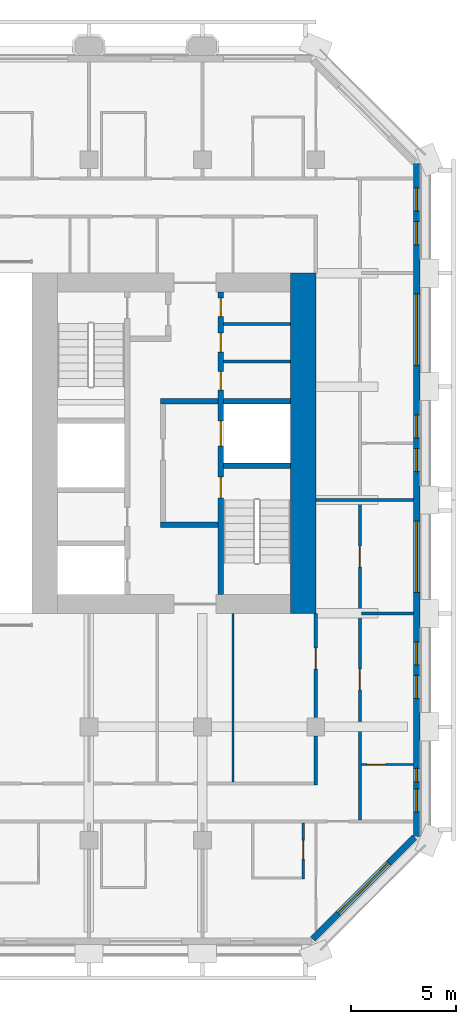
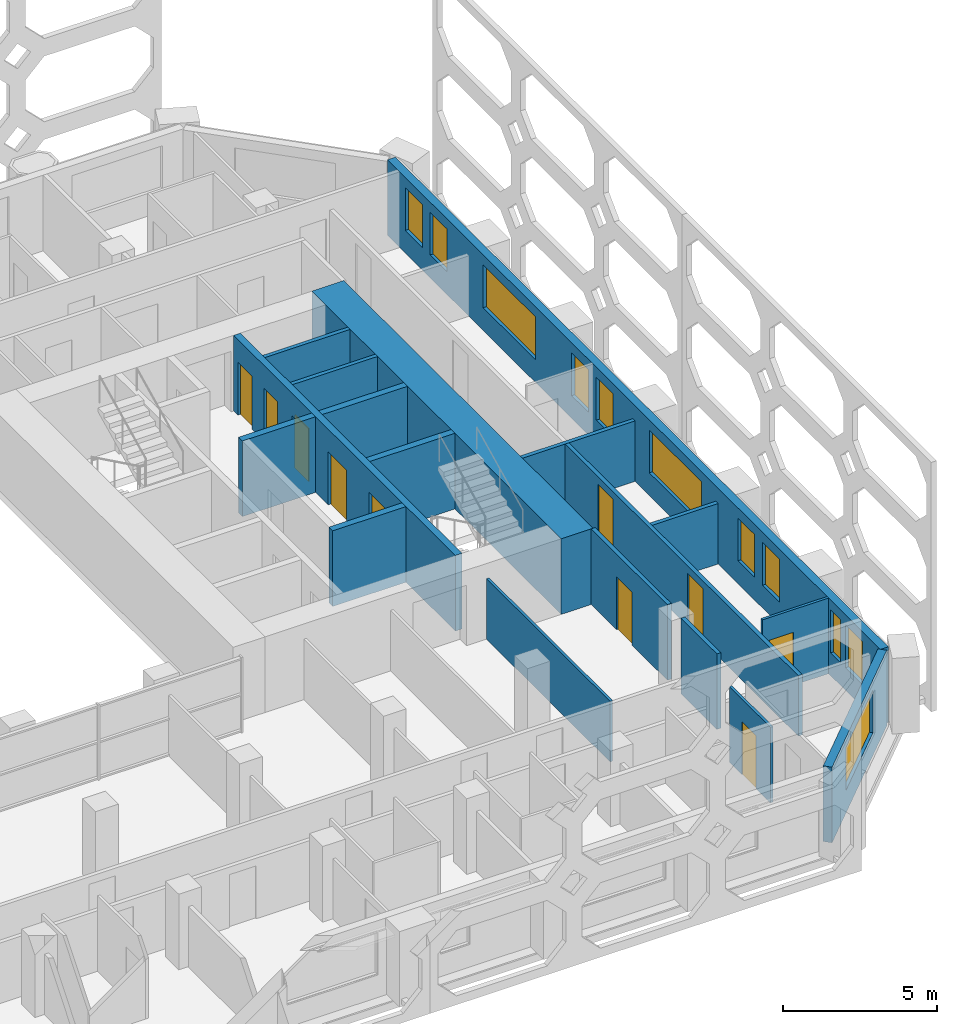
# One storey, part 8 of 14: 18 walls, 11 windows, 10 doors, 21 openings.
"""IFC4 building model written with IfcOpenShell, lengths in metres."""

from ifc_helpers import new_model, si_unit, direction, frame, frame_2d, origin, place, context, subcontext, project, spatial, rectangle, extrude, material, layer, layer_set, type_object, element, fill, save


model = new_model("IFC4")

# Units and contexts
model_context = context("Model", 3, precision=1e-05, world=origin(), true_north=direction((0.0, 1.0)))
body_context = subcontext(model_context, "Body", "Model", "MODEL_VIEW")
ifc_project = project(units=[si_unit("LENGTHUNIT", "METRE"), si_unit("AREAUNIT", "SQUARE_METRE"), si_unit("VOLUMEUNIT", "CUBIC_METRE"), si_unit("PLANEANGLEUNIT", "RADIAN"), si_unit("MASSUNIT", "GRAM", prefix="KILO")], contexts=[model_context])

# Site, building, storey
site_placement = place(None, origin())
site = spatial("IfcSite", under=ifc_project, at=site_placement, CompositionType="ELEMENT")
building_placement = place(site_placement, origin())
building = spatial("IfcBuilding", under=site, at=building_placement, Name="Tabaq Tower and Sports Hall", CompositionType="ELEMENT")
storey_placement = place(building_placement, frame((0.0, 0.0, 166.0)))
storey = spatial("IfcBuildingStorey", under=building, at=storey_placement, Name="L39", CompositionType="ELEMENT", Elevation=166.0)

# Walls
ifc_material_1 = material(Name="Blockwork", Category="masonry")
ifc_layer_1 = layer(ifc_material_1, 0.14990234375)
ifc_layer_set_1 = layer_set([ifc_layer_1], Name="Core room partition 150 Blockwork")
wall_type_1 = type_object("IfcWallType", Name="Core room partition 150 Blockwork", PredefinedType="PARTITIONING", material=ifc_layer_set_1)
for number, where, z_axis, x_axis, name in (
    (1, (38.800048828125, 28.200927734375, 0.0), (0.0, 0.0, 1.0), (1.0, 0.0, 0.0), "Core room partition E L39"),
    (2, (38.800048828125, 29.97705078125, 0.0), (0.0, 0.0, 1.0), (1.0, 0.0, 0.0), "Core room partition E L39"),
):
    element("IfcWall", number, at=place(storey_placement, frame(where, z_axis=z_axis, x_axis=x_axis)), inside=storey, type_object=wall_type_1, Name=name, PredefinedType="PARTITIONING", context=body_context, shape_type="SweptSolid", body=[
        extrude(rectangle(XDim=3.199951171875, YDim=0.14990234375, at=frame_2d((1.60009765625, 0.0))), origin(), (0.0, 0.0, 1.0), 3.0),
    ])
ifc_material_2 = material(Name="Concrete C50/60", Category="concrete")
ifc_layer_2 = layer(ifc_material_2, 1.199951171875)
ifc_layer_set_2 = layer_set([ifc_layer_2], Name="Core wall 1200 Concrete C50/60")
wall_type_2 = type_object("IfcWallType", Name="Core wall 1200 Concrete C50/60", PredefinedType="SOLIDWALL", material=ifc_layer_set_2)
wall_1_placement = place(storey_placement, frame((42.60009765625, 32.39990234375, 0.0), z_axis=(0.0, 0.0, 1.0), x_axis=(0.0, -1.0, 0.0)))
element("IfcWall", 3, at=wall_1_placement, inside=storey, type_object=wall_type_2, Name="Core wall E L39", PredefinedType="SOLIDWALL", context=body_context, shape_type="SweptSolid", body=[
    extrude(rectangle(XDim=16.199951171875, YDim=1.199951171875, at=frame_2d((8.10009765625, 0.0))), origin(), (0.0, 0.0, 1.0), 3.0),
])

# Wall, opening, door
ifc_material_3 = material(Name="Gypsum board on steel studs", Category="steel")
ifc_layer_3 = layer(ifc_material_3, 0.10009765625)
ifc_layer_set_3 = layer_set([ifc_layer_3], Name="Partition 100 Gypsum board")
wall_type_3 = type_object("IfcWallType", Name="Partition 100 Gypsum board", PredefinedType="PARTITIONING", material=ifc_layer_set_3)
wall_2_placement = place(storey_placement, frame((45.375, 9.0, 0.0), z_axis=(0.0, 0.0, 1.0), x_axis=(1.0, 0.0, 0.0)))
wall_2 = element("IfcWall", 4, at=wall_2_placement, inside=storey, type_object=wall_type_3, Name="Partition wall L39", PredefinedType="PARTITIONING", context=body_context, shape_type="SweptSolid", body=[
    extrude(rectangle(XDim=2.47412109375, YDim=0.10009765625, at=frame_2d((1.237060546875, 0.0))), origin(), (0.0, 0.0, 1.0), 3.0),
])
opening_1_placement = place(wall_2_placement, frame((0.25, 0.0, 0.0)))
opening_1 = element("IfcOpeningElement", 5, at=opening_1_placement, cuts=wall_2, Name="Opening L39-015", PredefinedType="OPENING", context=body_context, shape_type="SweptSolid", body=[
    extrude(rectangle(XDim=0.89990234375, YDim=2.10009765625, at=frame_2d((0.449951171875, 1.050048828125))), frame((0.0, 0.050048828125, 0.0), z_axis=(0.0, -1.0, 0.0), x_axis=(1.0, 0.0, 0.0)), (0.0, 0.0, 1.0), 0.10009765625),
])
ifc_material_4 = material(Name="Timber leaf in steel frame", Category="steel")
door_type_1 = type_object("IfcDoorType", Name="Internal door 900 left hand", OperationType="SINGLE_SWING_LEFT", PredefinedType="DOOR", material=ifc_material_4)
door_1_placement = place(opening_1_placement, origin())
door_1 = element("IfcDoor", 6, at=door_1_placement, inside=storey, type_object=door_type_1, Name="Internal door L39-015", OperationType="SINGLE_SWING_LEFT", OverallHeight=2.10009765625, OverallWidth=0.89990234375, PredefinedType="DOOR", context=body_context, shape_type="SweptSolid", body=[
    extrude(rectangle(XDim=0.89990234375, YDim=2.10009765625, at=frame_2d((0.449951171875, 1.050048828125))), frame((0.0, 0.02490234375, 0.0), z_axis=(0.0, -1.0, 0.0), x_axis=(1.0, 0.0, 0.0)), (0.0, 0.0, 1.0), 0.050048828125),
])
fill(opening_1, door_1)

wall_3_placement = place(storey_placement, frame((42.60009765625, 6.22509765625, 0.0), z_axis=(0.0, 0.0, 1.0), x_axis=(0.0, -1.0, 0.0)))
wall_3 = element("IfcWall", 7, at=wall_3_placement, inside=storey, type_object=wall_type_3, Name="Partition wall L39", PredefinedType="PARTITIONING", context=body_context, shape_type="SweptSolid", body=[
    extrude(rectangle(XDim=2.675048828125, YDim=0.10009765625, at=frame_2d((1.33740234375, 0.0))), origin(), (0.0, 0.0, 1.0), 3.0),
])
opening_2_placement = place(wall_3_placement, frame((0.824951171875, 0.0, 0.0)))
opening_2 = element("IfcOpeningElement", 8, at=opening_2_placement, cuts=wall_3, Name="Opening L39-020", PredefinedType="OPENING", context=body_context, shape_type="SweptSolid", body=[
    extrude(rectangle(XDim=0.89990234375, YDim=2.10009765625, at=frame_2d((0.449951171875, 1.050048828125))), frame((0.0, 0.050048828125, 0.0), z_axis=(0.0, -1.0, 0.0), x_axis=(1.0, 0.0, 0.0)), (0.0, 0.0, 1.0), 0.10009765625),
])
ifc_material_5 = material(Name="Timber leaf in steel frame", Category="steel")
door_type_2 = type_object("IfcDoorType", Name="Internal door 900 right hand", OperationType="SINGLE_SWING_RIGHT", PredefinedType="DOOR", material=ifc_material_5)
door_2_placement = place(opening_2_placement, origin())
door_2 = element("IfcDoor", 9, at=door_2_placement, inside=storey, type_object=door_type_2, Name="Internal door L39-020", OperationType="SINGLE_SWING_RIGHT", OverallHeight=2.10009765625, OverallWidth=0.89990234375, PredefinedType="DOOR", context=body_context, shape_type="SweptSolid", body=[
    extrude(rectangle(XDim=0.89990234375, YDim=2.10009765625, at=frame_2d((0.449951171875, 1.050048828125))), frame((0.0, 0.02490234375, 0.0), z_axis=(0.0, -1.0, 0.0), x_axis=(1.0, 0.0, 0.0)), (0.0, 0.0, 1.0), 0.050048828125),
])
fill(opening_2, door_2)

# Walls
wall_4_placement = place(storey_placement, frame((39.25, 8.175048828125, 0.0), z_axis=(0.0, 0.0, 1.0), x_axis=(0.0, 1.0, 0.0)))
element("IfcWall", 10, at=wall_4_placement, inside=storey, type_object=wall_type_3, Name="Partition wall L39", PredefinedType="PARTITIONING", context=body_context, shape_type="SweptSolid", body=[
    extrude(rectangle(XDim=8.02490234375, YDim=0.10009765625, at=frame_2d((4.012451171875, 0.0))), origin(), (0.0, 0.0, 1.0), 2.39990234375),
])
ifc_material_6 = material(Name="Blockwork", Category="masonry")
ifc_layer_4 = layer(ifc_material_6, 0.14990234375)
ifc_layer_set_4 = layer_set([ifc_layer_4], Name="Separating wall 150 Blockwork")
wall_type_4 = type_object("IfcWallType", Name="Separating wall 150 Blockwork", PredefinedType="PARTITIONING", material=ifc_layer_set_4)
wall_5_placement = place(storey_placement, frame((43.199951171875, 21.60009765625, 0.0), z_axis=(0.0, 0.0, 1.0), x_axis=(1.0, 0.0, 0.0)))
element("IfcWall", 11, at=wall_5_placement, inside=storey, type_object=wall_type_4, Name="Separating wall L39", PredefinedType="PARTITIONING", context=body_context, shape_type="SweptSolid", body=[
    extrude(rectangle(XDim=4.649169921875, YDim=0.14990234375, at=frame_2d((2.32470703125, 0.0))), origin(), (0.0, 0.0, 1.0), 2.39990234375),
])
wall_6_placement = place(storey_placement, frame((47.84912109375, 16.199951171875, 0.0), z_axis=(0.0, 0.0, 1.0), x_axis=(-1.0, 0.0, 0.0)))
element("IfcWall", 12, at=wall_6_placement, inside=storey, type_object=wall_type_4, Name="Separating wall L39", PredefinedType="PARTITIONING", context=body_context, shape_type="SweptSolid", body=[
    extrude(rectangle(XDim=2.47412109375, YDim=0.14990234375, at=frame_2d((1.237060546875, 0.0))), origin(), (0.0, 0.0, 1.0), 2.39990234375),
])

# Wall, openings, doors
wall_7_placement = place(storey_placement, frame((45.300048828125, 21.52490234375, 0.0), z_axis=(0.0, 0.0, 1.0), x_axis=(0.0, -1.0, 0.0)))
wall_7 = element("IfcWall", 13, at=wall_7_placement, inside=storey, type_object=wall_type_4, Name="Separating wall L39", PredefinedType="PARTITIONING", context=body_context, shape_type="SweptSolid", body=[
    extrude(rectangle(XDim=15.14990234375, YDim=0.14990234375, at=frame_2d((7.574951171875, 0.0))), origin(), (0.0, 0.0, 1.0), 2.39990234375),
])
opening_3_placement = place(wall_7_placement, frame((2.125, 0.0, 0.0)))
opening_3 = element("IfcOpeningElement", 14, at=opening_3_placement, cuts=wall_7, Name="Opening L39-023", PredefinedType="OPENING", context=body_context, shape_type="SweptSolid", body=[
    extrude(rectangle(XDim=1.0, YDim=2.10009765625, at=frame_2d((0.5, 1.050048828125))), frame((0.0, 0.074951171875, 0.0), z_axis=(0.0, -1.0, 0.0), x_axis=(1.0, 0.0, 0.0)), (0.0, 0.0, 1.0), 0.14990234375),
])
opening_4_placement = place(wall_7_placement, frame((7.9580078125, 0.0, 0.0)))
opening_4 = element("IfcOpeningElement", 15, at=opening_4_placement, cuts=wall_7, Name="Opening L39-039", PredefinedType="OPENING", context=body_context, shape_type="SweptSolid", body=[
    extrude(rectangle(XDim=1.0, YDim=2.10009765625, at=frame_2d((0.5, 1.050048828125))), frame((0.0, 0.074951171875, 0.0), z_axis=(0.0, -1.0, 0.0), x_axis=(1.0, 0.0, 0.0)), (0.0, 0.0, 1.0), 0.14990234375),
])
ifc_material_7 = material(Name="Steel fire door", Category="steel")
door_type_3 = type_object("IfcDoorType", Name="Entrance door 1000 right hand", OperationType="SINGLE_SWING_RIGHT", PredefinedType="DOOR", material=ifc_material_7)
door_3_placement = place(opening_4_placement, origin())
door_3 = element("IfcDoor", 16, at=door_3_placement, inside=storey, type_object=door_type_3, Name="Entrance door L39-039", OperationType="SINGLE_SWING_RIGHT", OverallHeight=2.10009765625, OverallWidth=1.0, PredefinedType="DOOR", context=body_context, shape_type="SweptSolid", body=[
    extrude(rectangle(XDim=1.0, YDim=2.10009765625, at=frame_2d((0.5, 1.050048828125))), frame((0.0, 0.02490234375, 0.0), z_axis=(0.0, -1.0, 0.0), x_axis=(1.0, 0.0, 0.0)), (0.0, 0.0, 1.0), 0.050048828125),
])
fill(opening_4, door_3)
ifc_material_8 = material(Name="Timber leaf in steel frame", Category="steel")
door_type_4 = type_object("IfcDoorType", Name="Internal door 1000 right hand", OperationType="SINGLE_SWING_RIGHT", PredefinedType="DOOR", material=ifc_material_8)
door_4_placement = place(opening_3_placement, origin())
door_4 = element("IfcDoor", 17, at=door_4_placement, inside=storey, type_object=door_type_4, Name="Internal door L39-023", OperationType="SINGLE_SWING_RIGHT", OverallHeight=2.10009765625, OverallWidth=1.0, PredefinedType="DOOR", context=body_context, shape_type="SweptSolid", body=[
    extrude(rectangle(XDim=1.0, YDim=2.10009765625, at=frame_2d((0.5, 1.050048828125))), frame((0.0, 0.02490234375, 0.0), z_axis=(0.0, -1.0, 0.0), x_axis=(1.0, 0.0, 0.0)), (0.0, 0.0, 1.0), 0.050048828125),
])
fill(opening_3, door_4)

# Wall, opening, door
wall_8_placement = place(storey_placement, frame((43.199951171875, 16.199951171875, 0.0), z_axis=(0.0, 0.0, 1.0), x_axis=(0.0, -1.0, 0.0)))
wall_8 = element("IfcWall", 18, at=wall_8_placement, inside=storey, type_object=wall_type_4, Name="Separating wall L39", PredefinedType="PARTITIONING", context=body_context, shape_type="SweptSolid", body=[
    extrude(rectangle(XDim=4.954833984375, YDim=0.14990234375, at=frame_2d((2.4775390625, 0.0))), origin(), (0.0, 0.0, 1.0), 3.0),
])
opening_5_placement = place(wall_8_placement, frame((1.654052734375, 0.0, 0.0)))
opening_5 = element("IfcOpeningElement", 19, at=opening_5_placement, cuts=wall_8, Name="Opening L39-026", PredefinedType="OPENING", context=body_context, shape_type="SweptSolid", body=[
    extrude(rectangle(XDim=1.0, YDim=2.10009765625, at=frame_2d((0.5, 1.050048828125))), frame((0.0, 0.074951171875, 0.0), z_axis=(0.0, -1.0, 0.0), x_axis=(1.0, 0.0, 0.0)), (0.0, 0.0, 1.0), 0.14990234375),
])
door_5_placement = place(opening_5_placement, origin())
door_5 = element("IfcDoor", 20, at=door_5_placement, inside=storey, type_object=door_type_4, Name="Internal door L39-026", OperationType="SINGLE_SWING_RIGHT", OverallHeight=2.10009765625, OverallWidth=1.0, PredefinedType="DOOR", context=body_context, shape_type="SweptSolid", body=[
    extrude(rectangle(XDim=1.0, YDim=2.10009765625, at=frame_2d((0.5, 1.050048828125))), frame((0.0, 0.02490234375, 0.0), z_axis=(0.0, -1.0, 0.0), x_axis=(1.0, 0.0, 0.0)), (0.0, 0.0, 1.0), 0.050048828125),
])
fill(opening_5, door_5)

# Wall
wall_9_placement = place(storey_placement, frame((43.199951171875, 10.35498046875, 0.0), z_axis=(0.0, 0.0, 1.0), x_axis=(0.0, -1.0, 0.0)))
element("IfcWall", 21, at=wall_9_placement, inside=storey, type_object=wall_type_4, Name="Separating wall L39", PredefinedType="PARTITIONING", context=body_context, shape_type="SweptSolid", body=[
    extrude(rectangle(XDim=2.330078125, YDim=0.14990234375, at=frame_2d((1.1650390625, 0.0))), origin(), (0.0, 0.0, 1.0), 3.0),
])

# Wall, openings, doors
ifc_material_9 = material(Name="Concrete C40/50", Category="concrete")
ifc_layer_5 = layer(ifc_material_9, 0.25)
ifc_layer_set_5 = layer_set([ifc_layer_5], Name="Shaft and stair wall 250 Concrete C40/50")
wall_type_5 = type_object("IfcWallType", Name="Shaft and stair wall 250 Concrete C40/50", PredefinedType="SOLIDWALL", material=ifc_layer_set_5)
wall_10_placement = place(storey_placement, frame((38.675048828125, 17.10009765625, 0.0), z_axis=(0.0, 0.0, 1.0), x_axis=(0.0, 1.0, 0.0)))
wall_10 = element("IfcWall", 22, at=wall_10_placement, inside=storey, type_object=wall_type_5, Name="Shaft wall E L39", PredefinedType="SOLIDWALL", context=body_context, shape_type="SweptSolid", body=[
    extrude(rectangle(XDim=14.39990234375, YDim=0.25, at=frame_2d((7.199951171875, 0.0))), origin(), (0.0, 0.0, 1.0), 3.0),
])
opening_6_placement = place(wall_10_placement, frame((4.60009765625, 0.0, 0.0)))
opening_6 = element("IfcOpeningElement", 23, at=opening_6_placement, cuts=wall_10, Name="Opening SD-EL39-03", PredefinedType="OPENING", context=body_context, shape_type="SweptSolid", body=[
    extrude(rectangle(XDim=1.0, YDim=2.10009765625, at=frame_2d((0.5, 1.050048828125))), frame((0.0, 0.125, 0.0), z_axis=(0.0, -1.0, 0.0), x_axis=(1.0, 0.0, 0.0)), (0.0, 0.0, 1.0), 0.25),
])
opening_7_placement = place(wall_10_placement, frame((7.0625, 0.0, 0.0)))
opening_7 = element("IfcOpeningElement", 24, at=opening_7_placement, cuts=wall_10, Name="Opening LD-FF2-L39", PredefinedType="OPENING", context=body_context, shape_type="SweptSolid", body=[
    extrude(rectangle(XDim=1.199951171875, YDim=2.10009765625, at=frame_2d((0.60009765625, 1.050048828125))), frame((0.0, 0.125, 0.0), z_axis=(0.0, -1.0, 0.0), x_axis=(1.0, 0.0, 0.0)), (0.0, 0.0, 1.0), 0.25),
])
opening_8_placement = place(wall_10_placement, frame((9.7255859375, 0.0, 0.0)))
opening_8 = element("IfcOpeningElement", 25, at=opening_8_placement, cuts=wall_10, Name="Opening RD-EL39-09", PredefinedType="OPENING", context=body_context, shape_type="SweptSolid", body=[
    extrude(rectangle(XDim=0.89990234375, YDim=2.10009765625, at=frame_2d((0.449951171875, 1.050048828125))), frame((0.0, 0.125, 0.0), z_axis=(0.0, -1.0, 0.0), x_axis=(1.0, 0.0, 0.0)), (0.0, 0.0, 1.0), 0.25),
])
opening_9_placement = place(wall_10_placement, frame((11.5390625, 0.0, 0.0)))
opening_9 = element("IfcOpeningElement", 26, at=opening_9_placement, cuts=wall_10, Name="Opening RD-EL39-10", PredefinedType="OPENING", context=body_context, shape_type="SweptSolid", body=[
    extrude(rectangle(XDim=0.89990234375, YDim=2.10009765625, at=frame_2d((0.449951171875, 1.050048828125))), frame((0.0, 0.125, 0.0), z_axis=(0.0, -1.0, 0.0), x_axis=(1.0, 0.0, 0.0)), (0.0, 0.0, 1.0), 0.25),
])
opening_10_placement = place(wall_10_placement, frame((13.22607421875, 0.0, 0.0)))
opening_10 = element("IfcOpeningElement", 27, at=opening_10_placement, cuts=wall_10, Name="Opening RD-EL39-11", PredefinedType="OPENING", context=body_context, shape_type="SweptSolid", body=[
    extrude(rectangle(XDim=0.89990234375, YDim=2.10009765625, at=frame_2d((0.449951171875, 1.050048828125))), frame((0.0, 0.125, 0.0), z_axis=(0.0, -1.0, 0.0), x_axis=(1.0, 0.0, 0.0)), (0.0, 0.0, 1.0), 0.25),
])
ifc_material_10 = material(Name="Steel fire door", Category="steel")
door_type_5 = type_object("IfcDoorType", Name="Core room door 900", OperationType="SINGLE_SWING_LEFT", PredefinedType="DOOR", material=ifc_material_10)
door_6_placement = place(opening_8_placement, origin())
door_6 = element("IfcDoor", 28, at=door_6_placement, inside=storey, type_object=door_type_5, Name="Door Accessible WC E L39", OperationType="SINGLE_SWING_LEFT", OverallHeight=2.10009765625, OverallWidth=0.89990234375, PredefinedType="DOOR", context=body_context, shape_type="SweptSolid", body=[
    extrude(rectangle(XDim=0.89990234375, YDim=2.10009765625, at=frame_2d((0.449951171875, 1.050048828125))), frame((0.0, 0.02490234375, 0.0), z_axis=(0.0, -1.0, 0.0), x_axis=(1.0, 0.0, 0.0)), (0.0, 0.0, 1.0), 0.050048828125),
])
fill(opening_8, door_6)
door_7_placement = place(opening_9_placement, origin())
door_7 = element("IfcDoor", 29, at=door_7_placement, inside=storey, type_object=door_type_5, Name="Door Unisex WC E L39", OperationType="SINGLE_SWING_LEFT", OverallHeight=2.10009765625, OverallWidth=0.89990234375, PredefinedType="DOOR", context=body_context, shape_type="SweptSolid", body=[
    extrude(rectangle(XDim=0.89990234375, YDim=2.10009765625, at=frame_2d((0.449951171875, 1.050048828125))), frame((0.0, 0.02490234375, 0.0), z_axis=(0.0, -1.0, 0.0), x_axis=(1.0, 0.0, 0.0)), (0.0, 0.0, 1.0), 0.050048828125),
])
fill(opening_9, door_7)
door_8_placement = place(opening_10_placement, origin())
door_8 = element("IfcDoor", 30, at=door_8_placement, inside=storey, type_object=door_type_5, Name="Door Cleaner's Store E L39", OperationType="SINGLE_SWING_LEFT", OverallHeight=2.10009765625, OverallWidth=0.89990234375, PredefinedType="DOOR", context=body_context, shape_type="SweptSolid", body=[
    extrude(rectangle(XDim=0.89990234375, YDim=2.10009765625, at=frame_2d((0.449951171875, 1.050048828125))), frame((0.0, 0.02490234375, 0.0), z_axis=(0.0, -1.0, 0.0), x_axis=(1.0, 0.0, 0.0)), (0.0, 0.0, 1.0), 0.050048828125),
])
fill(opening_10, door_8)
ifc_material_11 = material(Name="Stainless steel", Category="steel")
door_type_6 = type_object("IfcDoorType", Name="Lift landing door 1200", OperationType="DOUBLE_DOOR_SLIDING", PredefinedType="DOOR", material=ifc_material_11)
door_9_placement = place(opening_7_placement, origin())
door_9 = element("IfcDoor", 31, at=door_9_placement, inside=storey, type_object=door_type_6, Name="Lift landing door FF2 E L39", OperationType="DOUBLE_DOOR_SLIDING", OverallHeight=2.10009765625, OverallWidth=1.199951171875, PredefinedType="DOOR", context=body_context, shape_type="SweptSolid", body=[
    extrude(rectangle(XDim=1.199951171875, YDim=2.10009765625, at=frame_2d((0.60009765625, 1.050048828125))), frame((0.0, 0.02490234375, 0.0), z_axis=(0.0, -1.0, 0.0), x_axis=(1.0, 0.0, 0.0)), (0.0, 0.0, 1.0), 0.050048828125),
])
fill(opening_7, door_9)
ifc_material_12 = material(Name="Steel fire door", Category="steel")
door_type_7 = type_object("IfcDoorType", Name="Stair door 1000", OperationType="SINGLE_SWING_LEFT", PredefinedType="DOOR", material=ifc_material_12)
door_10_placement = place(opening_6_placement, origin())
door_10 = element("IfcDoor", 32, at=door_10_placement, inside=storey, type_object=door_type_7, Name="Stair door ST3 E L39", OperationType="SINGLE_SWING_LEFT", OverallHeight=2.10009765625, OverallWidth=1.0, PredefinedType="DOOR", context=body_context, shape_type="SweptSolid", body=[
    extrude(rectangle(XDim=1.0, YDim=2.10009765625, at=frame_2d((0.5, 1.050048828125))), frame((0.0, 0.02490234375, 0.0), z_axis=(0.0, -1.0, 0.0), x_axis=(1.0, 0.0, 0.0)), (0.0, 0.0, 1.0), 0.050048828125),
])
fill(opening_6, door_10)

# Walls
for number, where, z_axis, x_axis, name in (
    (33, (38.800048828125, 23.22509765625, 0.0), (0.0, 0.0, 1.0), (1.0, 0.0, 0.0), "Stair enclosure wall E L39"),
    (34, (38.800048828125, 26.300048828125, 0.0), (0.0, 0.0, 1.0), (1.0, 0.0, 0.0), "Shaft wall E L39"),
):
    element("IfcWall", number, at=place(storey_placement, frame(where, z_axis=z_axis, x_axis=x_axis)), inside=storey, type_object=wall_type_5, Name=name, PredefinedType="SOLIDWALL", context=body_context, shape_type="SweptSolid", body=[
        extrude(rectangle(XDim=3.199951171875, YDim=0.25, at=frame_2d((1.60009765625, 0.0))), origin(), (0.0, 0.0, 1.0), 3.0),
    ])
for number, where, z_axis, x_axis, name in (
    (35, (35.800048828125, 26.300048828125, 0.0), (0.0, 0.0, 1.0), (1.0, 0.0, 0.0), "Fire-fighting lobby wall E L39"),
    (36, (35.800048828125, 20.425048828125, 0.0), (0.0, 0.0, 1.0), (1.0, 0.0, 0.0), "Fire-fighting lobby wall E L39"),
):
    element("IfcWall", number, at=place(storey_placement, frame(where, z_axis=z_axis, x_axis=x_axis)), inside=storey, type_object=wall_type_5, Name=name, PredefinedType="SOLIDWALL", context=body_context, shape_type="SweptSolid", body=[
        extrude(rectangle(XDim=2.75, YDim=0.25, at=frame_2d((1.375, 0.0))), origin(), (0.0, 0.0, 1.0), 3.0),
    ])

# Wall, opening, window
ifc_material_13 = material(Name="White precast concrete C60/75", Category="concrete")
ifc_layer_6 = layer(ifc_material_13, 0.300048828125)
ifc_layer_set_6 = layer_set([ifc_layer_6], Name="White precast concrete C60/75 external wall 300")
wall_type_6 = type_object("IfcWallType", Name="White precast concrete C60/75 external wall 300", PredefinedType="SOLIDWALL", material=ifc_layer_set_6)
wall_11_placement = place(storey_placement, frame((43.050537109375, 0.698974609375, 0.0), z_axis=(0.0, 0.0, 1.0), x_axis=(0.707106781187, 0.707106781187, 0.0)))
wall_11 = element("IfcWall", 37, at=wall_11_placement, inside=storey, type_object=wall_type_6, Name="External Wall L39 SE", PredefinedType="SOLIDWALL", context=body_context, shape_type="SweptSolid", body=[
    extrude(rectangle(XDim=6.85986328125, YDim=0.300048828125, at=frame_2d((3.429931640625, 0.0))), origin(), (0.0, 0.0, 1.0), 3.0),
])
opening_11_placement = place(wall_11_placement, frame((1.729736328125, 0.0, 0.89990234375)))
opening_11 = element("IfcOpeningElement", 38, at=opening_11_placement, cuts=wall_11, Name="Opening W1A", PredefinedType="OPENING", context=body_context, shape_type="SweptSolid", body=[
    extrude(rectangle(XDim=3.39990234375, YDim=1.699951171875, at=frame_2d((1.699951171875, 0.85009765625))), frame((0.0, 0.16015625, 0.0), z_axis=(0.0, -1.0, 0.0), x_axis=(1.0, 0.0, 0.0)), (0.0, 0.0, 1.0), 0.320068359375),
])
ifc_material_14 = material(Name="Aluminium framed clear glazing", Category="aluminium")
window_type_1 = type_object("IfcWindowType", Name="Window W1A", PartitioningType="SINGLE_PANEL", PredefinedType="WINDOW", material=ifc_material_14)
window_1_placement = place(opening_11_placement, origin())
window_1 = element("IfcWindow", 39, at=window_1_placement, inside=storey, type_object=window_type_1, Name="Window W1A L39", OverallHeight=1.699951171875, OverallWidth=3.39990234375, PartitioningType="SINGLE_PANEL", PredefinedType="WINDOW", context=body_context, shape_type="SweptSolid", body=[
    extrude(rectangle(XDim=3.39990234375, YDim=1.699951171875, at=frame_2d((1.699951171875, 0.85009765625))), frame((0.0, 0.030029296875, 0.0), z_axis=(0.0, -1.0, 0.0), x_axis=(1.0, 0.0, 0.0)), (0.0, 0.0, 1.0), 0.06005859375),
])
fill(opening_11, window_1)

# Wall, openings, windows
wall_12_placement = place(storey_placement, frame((48.0, 5.58642578125, 0.0), z_axis=(0.0, 0.0, 1.0), x_axis=(0.0, 1.0, 0.0)))
wall_12 = element("IfcWall", 40, at=wall_12_placement, inside=storey, type_object=wall_type_6, Name="External Wall L39 E", PredefinedType="SOLIDWALL", context=body_context, shape_type="SweptSolid", body=[
    extrude(rectangle(XDim=32.027099609375, YDim=0.300048828125, at=frame_2d((16.013671875, 0.0))), origin(), (0.0, 0.0, 1.0), 3.0),
])
opening_12_placement = place(wall_12_placement, frame((1.16357421875, 0.0, 0.89990234375)))
opening_12 = element("IfcOpeningElement", 41, at=opening_12_placement, cuts=wall_12, Name="Opening W1B", PredefinedType="OPENING", context=body_context, shape_type="SweptSolid", body=[
    extrude(rectangle(XDim=1.10009765625, YDim=1.699951171875, at=frame_2d((0.550048828125, 0.85009765625))), frame((0.0, 0.16015625, 0.0), z_axis=(0.0, -1.0, 0.0), x_axis=(1.0, 0.0, 0.0)), (0.0, 0.0, 1.0), 0.320068359375),
])
opening_13_placement = place(wall_12_placement, frame((2.588623046875, 0.0, 0.89990234375)))
opening_13 = element("IfcOpeningElement", 42, at=opening_13_placement, cuts=wall_12, Name="Opening W1C", PredefinedType="OPENING", context=body_context, shape_type="SweptSolid", body=[
    extrude(rectangle(XDim=0.64990234375, YDim=1.699951171875, at=frame_2d((0.324951171875, 0.85009765625))), frame((0.0, 0.16015625, 0.0), z_axis=(0.0, -1.0, 0.0), x_axis=(1.0, 0.0, 0.0)), (0.0, 0.0, 1.0), 0.320068359375),
])
opening_14_placement = place(wall_12_placement, frame((6.563720703125, 0.0, 0.89990234375)))
opening_14 = element("IfcOpeningElement", 43, at=opening_14_placement, cuts=wall_12, Name="Opening W1B", PredefinedType="OPENING", context=body_context, shape_type="SweptSolid", body=[
    extrude(rectangle(XDim=1.10009765625, YDim=1.699951171875, at=frame_2d((0.550048828125, 0.85009765625))), frame((0.0, 0.16015625, 0.0), z_axis=(0.0, -1.0, 0.0), x_axis=(1.0, 0.0, 0.0)), (0.0, 0.0, 1.0), 0.320068359375),
])
opening_15_placement = place(wall_12_placement, frame((8.16357421875, 0.0, 0.89990234375)))
opening_15 = element("IfcOpeningElement", 44, at=opening_15_placement, cuts=wall_12, Name="Opening W1B", PredefinedType="OPENING", context=body_context, shape_type="SweptSolid", body=[
    extrude(rectangle(XDim=1.10009765625, YDim=1.699951171875, at=frame_2d((0.550048828125, 0.85009765625))), frame((0.0, 0.16015625, 0.0), z_axis=(0.0, -1.0, 0.0), x_axis=(1.0, 0.0, 0.0)), (0.0, 0.0, 1.0), 0.320068359375),
])
opening_16_placement = place(wall_12_placement, frame((11.613525390625, 0.0, 0.89990234375)))
opening_16 = element("IfcOpeningElement", 45, at=opening_16_placement, cuts=wall_12, Name="Opening W1A", PredefinedType="OPENING", context=body_context, shape_type="SweptSolid", body=[
    extrude(rectangle(XDim=3.39990234375, YDim=1.699951171875, at=frame_2d((1.699951171875, 0.85009765625))), frame((0.0, 0.16015625, 0.0), z_axis=(0.0, -1.0, 0.0), x_axis=(1.0, 0.0, 0.0)), (0.0, 0.0, 1.0), 0.320068359375),
])
opening_17_placement = place(wall_12_placement, frame((17.363525390625, 0.0, 0.89990234375)))
opening_17 = element("IfcOpeningElement", 46, at=opening_17_placement, cuts=wall_12, Name="Opening W1B", PredefinedType="OPENING", context=body_context, shape_type="SweptSolid", body=[
    extrude(rectangle(XDim=1.10009765625, YDim=1.699951171875, at=frame_2d((0.550048828125, 0.85009765625))), frame((0.0, 0.16015625, 0.0), z_axis=(0.0, -1.0, 0.0), x_axis=(1.0, 0.0, 0.0)), (0.0, 0.0, 1.0), 0.320068359375),
])
opening_18_placement = place(wall_12_placement, frame((18.963623046875, 0.0, 0.89990234375)))
opening_18 = element("IfcOpeningElement", 47, at=opening_18_placement, cuts=wall_12, Name="Opening W1B", PredefinedType="OPENING", context=body_context, shape_type="SweptSolid", body=[
    extrude(rectangle(XDim=1.10009765625, YDim=1.699951171875, at=frame_2d((0.550048828125, 0.85009765625))), frame((0.0, 0.16015625, 0.0), z_axis=(0.0, -1.0, 0.0), x_axis=(1.0, 0.0, 0.0)), (0.0, 0.0, 1.0), 0.320068359375),
])
opening_19_placement = place(wall_12_placement, frame((22.41357421875, 0.0, 0.89990234375)))
opening_19 = element("IfcOpeningElement", 48, at=opening_19_placement, cuts=wall_12, Name="Opening W1A", PredefinedType="OPENING", context=body_context, shape_type="SweptSolid", body=[
    extrude(rectangle(XDim=3.39990234375, YDim=1.699951171875, at=frame_2d((1.699951171875, 0.85009765625))), frame((0.0, 0.16015625, 0.0), z_axis=(0.0, -1.0, 0.0), x_axis=(1.0, 0.0, 0.0)), (0.0, 0.0, 1.0), 0.320068359375),
])
opening_20_placement = place(wall_12_placement, frame((28.16357421875, 0.0, 0.89990234375)))
opening_20 = element("IfcOpeningElement", 49, at=opening_20_placement, cuts=wall_12, Name="Opening W1B", PredefinedType="OPENING", context=body_context, shape_type="SweptSolid", body=[
    extrude(rectangle(XDim=1.10009765625, YDim=1.699951171875, at=frame_2d((0.550048828125, 0.85009765625))), frame((0.0, 0.16015625, 0.0), z_axis=(0.0, -1.0, 0.0), x_axis=(1.0, 0.0, 0.0)), (0.0, 0.0, 1.0), 0.320068359375),
])
opening_21_placement = place(wall_12_placement, frame((29.763671875, 0.0, 0.89990234375)))
opening_21 = element("IfcOpeningElement", 50, at=opening_21_placement, cuts=wall_12, Name="Opening W1B", PredefinedType="OPENING", context=body_context, shape_type="SweptSolid", body=[
    extrude(rectangle(XDim=1.10009765625, YDim=1.699951171875, at=frame_2d((0.550048828125, 0.85009765625))), frame((0.0, 0.16015625, 0.0), z_axis=(0.0, -1.0, 0.0), x_axis=(1.0, 0.0, 0.0)), (0.0, 0.0, 1.0), 0.320068359375),
])
window_2_placement = place(opening_16_placement, origin())
window_2 = element("IfcWindow", 51, at=window_2_placement, inside=storey, type_object=window_type_1, Name="Window W1A L39", OverallHeight=1.699951171875, OverallWidth=3.39990234375, PartitioningType="SINGLE_PANEL", PredefinedType="WINDOW", context=body_context, shape_type="SweptSolid", body=[
    extrude(rectangle(XDim=3.39990234375, YDim=1.699951171875, at=frame_2d((1.699951171875, 0.85009765625))), frame((0.0, 0.030029296875, 0.0), z_axis=(0.0, -1.0, 0.0), x_axis=(1.0, 0.0, 0.0)), (0.0, 0.0, 1.0), 0.06005859375),
])
fill(opening_16, window_2)
window_3_placement = place(opening_19_placement, origin())
window_3 = element("IfcWindow", 52, at=window_3_placement, inside=storey, type_object=window_type_1, Name="Window W1A L39", OverallHeight=1.699951171875, OverallWidth=3.39990234375, PartitioningType="SINGLE_PANEL", PredefinedType="WINDOW", context=body_context, shape_type="SweptSolid", body=[
    extrude(rectangle(XDim=3.39990234375, YDim=1.699951171875, at=frame_2d((1.699951171875, 0.85009765625))), frame((0.0, 0.030029296875, 0.0), z_axis=(0.0, -1.0, 0.0), x_axis=(1.0, 0.0, 0.0)), (0.0, 0.0, 1.0), 0.06005859375),
])
fill(opening_19, window_3)
ifc_material_15 = material(Name="Aluminium framed clear glazing", Category="aluminium")
window_type_2 = type_object("IfcWindowType", Name="Window W1B", PartitioningType="SINGLE_PANEL", PredefinedType="WINDOW", material=ifc_material_15)
window_4_placement = place(opening_12_placement, origin())
window_4 = element("IfcWindow", 53, at=window_4_placement, inside=storey, type_object=window_type_2, Name="Window W1B L39", OverallHeight=1.699951171875, OverallWidth=1.10009765625, PartitioningType="SINGLE_PANEL", PredefinedType="WINDOW", context=body_context, shape_type="SweptSolid", body=[
    extrude(rectangle(XDim=1.10009765625, YDim=1.699951171875, at=frame_2d((0.550048828125, 0.85009765625))), frame((0.0, 0.030029296875, 0.0), z_axis=(0.0, -1.0, 0.0), x_axis=(1.0, 0.0, 0.0)), (0.0, 0.0, 1.0), 0.06005859375),
])
fill(opening_12, window_4)
window_5_placement = place(opening_14_placement, origin())
window_5 = element("IfcWindow", 54, at=window_5_placement, inside=storey, type_object=window_type_2, Name="Window W1B L39", OverallHeight=1.699951171875, OverallWidth=1.10009765625, PartitioningType="SINGLE_PANEL", PredefinedType="WINDOW", context=body_context, shape_type="SweptSolid", body=[
    extrude(rectangle(XDim=1.10009765625, YDim=1.699951171875, at=frame_2d((0.550048828125, 0.85009765625))), frame((0.0, 0.030029296875, 0.0), z_axis=(0.0, -1.0, 0.0), x_axis=(1.0, 0.0, 0.0)), (0.0, 0.0, 1.0), 0.06005859375),
])
fill(opening_14, window_5)
window_6_placement = place(opening_15_placement, origin())
window_6 = element("IfcWindow", 55, at=window_6_placement, inside=storey, type_object=window_type_2, Name="Window W1B L39", OverallHeight=1.699951171875, OverallWidth=1.10009765625, PartitioningType="SINGLE_PANEL", PredefinedType="WINDOW", context=body_context, shape_type="SweptSolid", body=[
    extrude(rectangle(XDim=1.10009765625, YDim=1.699951171875, at=frame_2d((0.550048828125, 0.85009765625))), frame((0.0, 0.030029296875, 0.0), z_axis=(0.0, -1.0, 0.0), x_axis=(1.0, 0.0, 0.0)), (0.0, 0.0, 1.0), 0.06005859375),
])
fill(opening_15, window_6)
window_7_placement = place(opening_17_placement, origin())
window_7 = element("IfcWindow", 56, at=window_7_placement, inside=storey, type_object=window_type_2, Name="Window W1B L39", OverallHeight=1.699951171875, OverallWidth=1.10009765625, PartitioningType="SINGLE_PANEL", PredefinedType="WINDOW", context=body_context, shape_type="SweptSolid", body=[
    extrude(rectangle(XDim=1.10009765625, YDim=1.699951171875, at=frame_2d((0.550048828125, 0.85009765625))), frame((0.0, 0.030029296875, 0.0), z_axis=(0.0, -1.0, 0.0), x_axis=(1.0, 0.0, 0.0)), (0.0, 0.0, 1.0), 0.06005859375),
])
fill(opening_17, window_7)
window_8_placement = place(opening_18_placement, origin())
window_8 = element("IfcWindow", 57, at=window_8_placement, inside=storey, type_object=window_type_2, Name="Window W1B L39", OverallHeight=1.699951171875, OverallWidth=1.10009765625, PartitioningType="SINGLE_PANEL", PredefinedType="WINDOW", context=body_context, shape_type="SweptSolid", body=[
    extrude(rectangle(XDim=1.10009765625, YDim=1.699951171875, at=frame_2d((0.550048828125, 0.85009765625))), frame((0.0, 0.030029296875, 0.0), z_axis=(0.0, -1.0, 0.0), x_axis=(1.0, 0.0, 0.0)), (0.0, 0.0, 1.0), 0.06005859375),
])
fill(opening_18, window_8)
window_9_placement = place(opening_20_placement, origin())
window_9 = element("IfcWindow", 58, at=window_9_placement, inside=storey, type_object=window_type_2, Name="Window W1B L39", OverallHeight=1.699951171875, OverallWidth=1.10009765625, PartitioningType="SINGLE_PANEL", PredefinedType="WINDOW", context=body_context, shape_type="SweptSolid", body=[
    extrude(rectangle(XDim=1.10009765625, YDim=1.699951171875, at=frame_2d((0.550048828125, 0.85009765625))), frame((0.0, 0.030029296875, 0.0), z_axis=(0.0, -1.0, 0.0), x_axis=(1.0, 0.0, 0.0)), (0.0, 0.0, 1.0), 0.06005859375),
])
fill(opening_20, window_9)
window_10_placement = place(opening_21_placement, origin())
window_10 = element("IfcWindow", 59, at=window_10_placement, inside=storey, type_object=window_type_2, Name="Window W1B L39", OverallHeight=1.699951171875, OverallWidth=1.10009765625, PartitioningType="SINGLE_PANEL", PredefinedType="WINDOW", context=body_context, shape_type="SweptSolid", body=[
    extrude(rectangle(XDim=1.10009765625, YDim=1.699951171875, at=frame_2d((0.550048828125, 0.85009765625))), frame((0.0, 0.030029296875, 0.0), z_axis=(0.0, -1.0, 0.0), x_axis=(1.0, 0.0, 0.0)), (0.0, 0.0, 1.0), 0.06005859375),
])
fill(opening_21, window_10)
ifc_material_16 = material(Name="Aluminium framed clear glazing", Category="aluminium")
window_type_3 = type_object("IfcWindowType", Name="Window W1C", PartitioningType="SINGLE_PANEL", PredefinedType="WINDOW", material=ifc_material_16)
window_11_placement = place(opening_13_placement, origin())
window_11 = element("IfcWindow", 60, at=window_11_placement, inside=storey, type_object=window_type_3, Name="Window W1C L39", OverallHeight=1.699951171875, OverallWidth=0.64990234375, PartitioningType="SINGLE_PANEL", PredefinedType="WINDOW", context=body_context, shape_type="SweptSolid", body=[
    extrude(rectangle(XDim=0.64990234375, YDim=1.699951171875, at=frame_2d((0.324951171875, 0.85009765625))), frame((0.0, 0.030029296875, 0.0), z_axis=(0.0, -1.0, 0.0), x_axis=(1.0, 0.0, 0.0)), (0.0, 0.0, 1.0), 0.06005859375),
])
fill(opening_13, window_11)

save(model, "model.ifc")
